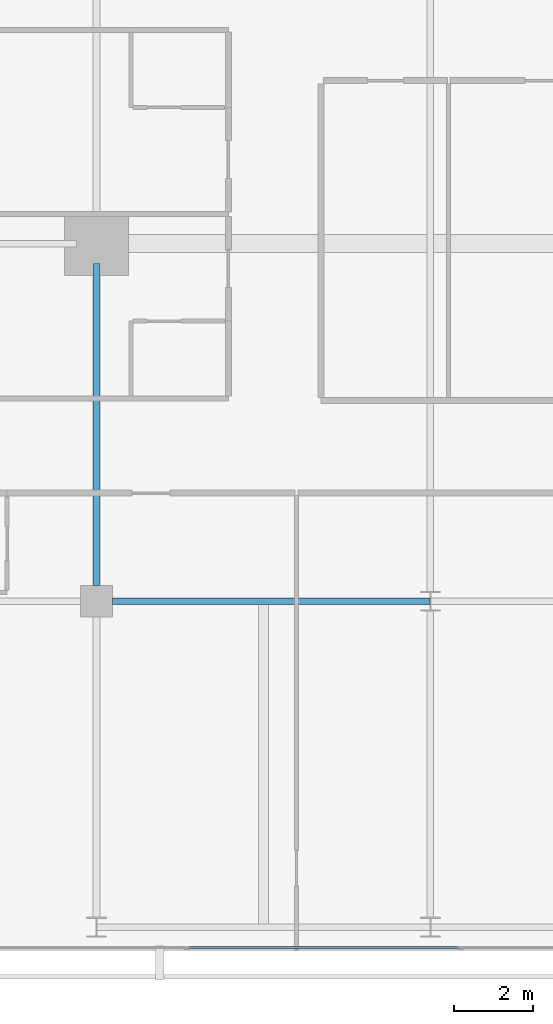
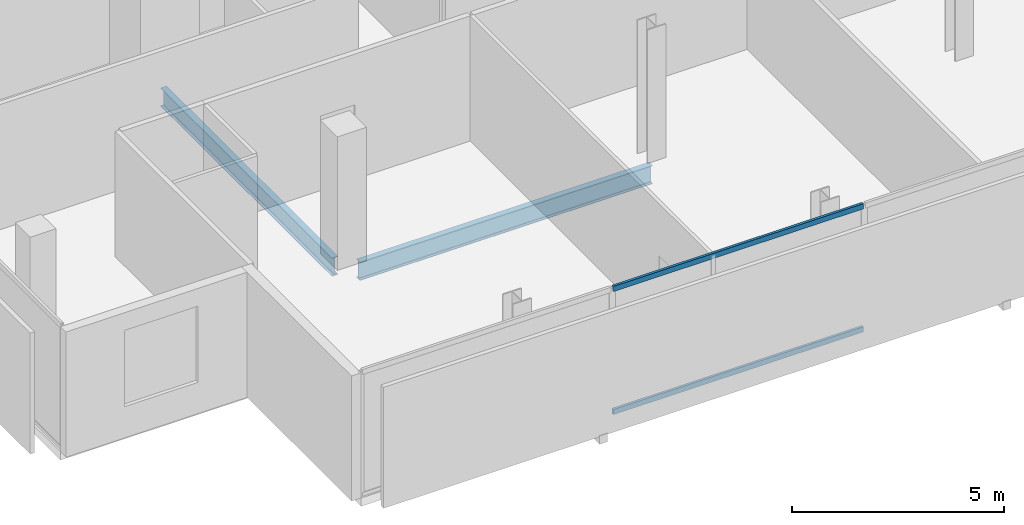
# One storey, part 5 of 25: 2 beams, 2 members, 1 element without a shape of its own.
"""IFC4 building model written with IfcOpenShell, lengths in metres."""

from ifc_helpers import new_model, si_unit, direction, frame, origin, origin_2d, place, context, subcontext, project, spatial, hollow_rectangle, i_section, extrude, material, layer, layer_set, material_profile, profile_set, type_object, element, aggregate, save


model = new_model("IFC4")

# Units and contexts
model_context = context("Model", 3, precision=1e-05, world=origin(), true_north=direction((0.0, 1.0)))
body_context = subcontext(model_context, "Body", "Model", "MODEL_VIEW")
ifc_project = project(units=[si_unit("LENGTHUNIT", "METRE"), si_unit("AREAUNIT", "SQUARE_METRE"), si_unit("VOLUMEUNIT", "CUBIC_METRE"), si_unit("PLANEANGLEUNIT", "RADIAN"), si_unit("MASSUNIT", "GRAM", prefix="KILO")], contexts=[model_context])

# Site, building, storey
site_placement = place(None, origin())
site = spatial("IfcSite", under=ifc_project, at=site_placement, CompositionType="ELEMENT")
building_placement = place(site_placement, origin())
building = spatial("IfcBuilding", under=site, at=building_placement, Name="Maruvema Waterfront Hotel and Observation Tower", CompositionType="ELEMENT")
storey_placement = place(building_placement, frame((0.0, 0.0, 281.75)))
storey = spatial("IfcBuildingStorey", under=building, at=storey_placement, Name="L69", CompositionType="ELEMENT", Elevation=281.75)

# Curtain wall, members
ifc_material_1 = material(Name="Anodised bronze aluminium and solar-control low-E IGU", Category="aluminium")
ifc_layer = layer(ifc_material_1, 0.159912109375, Name="Zone 3 Champagne Inner Thermal Curtain Wall System CW-04")
ifc_layer_set = layer_set([ifc_layer], Name="Anodised bronze aluminium and solar-control low-E IGU")
curtain_wall_type = type_object("IfcCurtainWallType", Name="Zone 3 Champagne Inner Thermal Curtain Wall System CW-04", PredefinedType="USERDEFINED", material=ifc_layer_set)
curtain_wall_placement = place(storey_placement, origin())
curtain_wall = element("IfcCurtainWall", 1, at=curtain_wall_placement, inside=storey, type_object=curtain_wall_type, Name="L69 Curtain Wall CW-L69-S", ObjectType="UNITISED CURTAIN WALL", PredefinedType="USERDEFINED")
ifc_material_2 = material(Name="Anodised architectural bronze aluminium", Category="aluminium")
ifc_material_profile_1 = material_profile(ifc_material_2, hollow_rectangle(XDim=0.070068359375, YDim=0.14990234375, WallThickness=0.00390625, at=origin_2d()), Name="ALU-T70x150")
ifc_profile_set_1 = profile_set([ifc_material_profile_1], Name="Anodised architectural bronze aluminium")
member_type = type_object("IfcMemberType", Name="Curtain Wall Horizontal Transom ALU-T70x150", PredefinedType="USERDEFINED", material=ifc_profile_set_1)
member_1_placement = place(storey_placement, frame((27.510009765625, 9.280029296875, 0.030029296875), z_axis=(1.0, 0.0, 0.0), x_axis=(0.0, 1.0, 0.0)))
member_1 = element("IfcMember", 2, at=member_1_placement, type_object=member_type, Name="CW-04 transom 2.1", ObjectType="TRANSOM", PredefinedType="USERDEFINED", context=body_context, shape_type="SweptSolid", body=[
    extrude(hollow_rectangle(XDim=0.070068359375, YDim=0.14990234375, WallThickness=0.00390625, at=origin_2d()), origin(), (0.0, 0.0, 1.0), 6.820068359375),
])
member_2_placement = place(storey_placement, frame((27.510009765625, 9.280029296875, 3.580078125), z_axis=(1.0, 0.0, 0.0), x_axis=(0.0, 1.0, 0.0)))
member_2 = element("IfcMember", 3, at=member_2_placement, type_object=member_type, Name="CW-04 transom 2.2", ObjectType="TRANSOM", PredefinedType="USERDEFINED", context=body_context, shape_type="SweptSolid", body=[
    extrude(hollow_rectangle(XDim=0.070068359375, YDim=0.14990234375, WallThickness=0.00390625, at=origin_2d()), origin(), (0.0, 0.0, 1.0), 6.820068359375),
])
aggregate(curtain_wall, [member_1, member_2])

# Beams
ifc_material_3 = material(Name="Steel ASTM A572 Grade 50", Category="steel")
ifc_material_profile_2 = material_profile(ifc_material_3, i_section(OverallWidth=0.166015625, OverallDepth=0.529052734375, WebThickness=0.009765625, FlangeThickness=0.013671875, FilletRadius=0.014892578125, at=origin_2d()), Name="W530x74.0")
ifc_profile_set_2 = profile_set([ifc_material_profile_2], Name="Steel ASTM A572 Grade 50")
beam_type = type_object("IfcBeamType", Name="Primary Floor Girder W530x74.0", PredefinedType="BEAM", material=ifc_profile_set_2)
beam_1_placement = place(storey_placement, frame((25.60009765625, 18.0, -0.50439453125), z_axis=(1.0, 0.0, 0.0), x_axis=(0.0, 1.0, 0.0)))
element("IfcBeam", 4, at=beam_1_placement, inside=storey, type_object=beam_type, Name="L69 Floor Girder EW-05", PredefinedType="BEAM", context=body_context, shape_type="SweptSolid", body=[
    extrude(i_section(OverallWidth=0.166015625, OverallDepth=0.529052734375, WebThickness=0.009765625, FlangeThickness=0.013671875, FilletRadius=0.014892578125, at=origin_2d()), origin(), (0.0, 0.0, 1.0), 7.989013671875),
])
beam_2_placement = place(storey_placement, frame((25.199951171875, 18.39990234375, -0.50439453125), z_axis=(0.0, 1.0, 0.0), x_axis=(-1.0, 0.0, 0.0)))
element("IfcBeam", 5, at=beam_2_placement, inside=storey, type_object=beam_type, Name="L69 Floor Girder NS-05", PredefinedType="BEAM", context=body_context, shape_type="SweptSolid", body=[
    extrude(i_section(OverallWidth=0.166015625, OverallDepth=0.529052734375, WebThickness=0.009765625, FlangeThickness=0.013671875, FilletRadius=0.014892578125, at=origin_2d()), origin(), (0.0, 0.0, 1.0), 8.10009765625),
])

save(model, "model.ifc")
